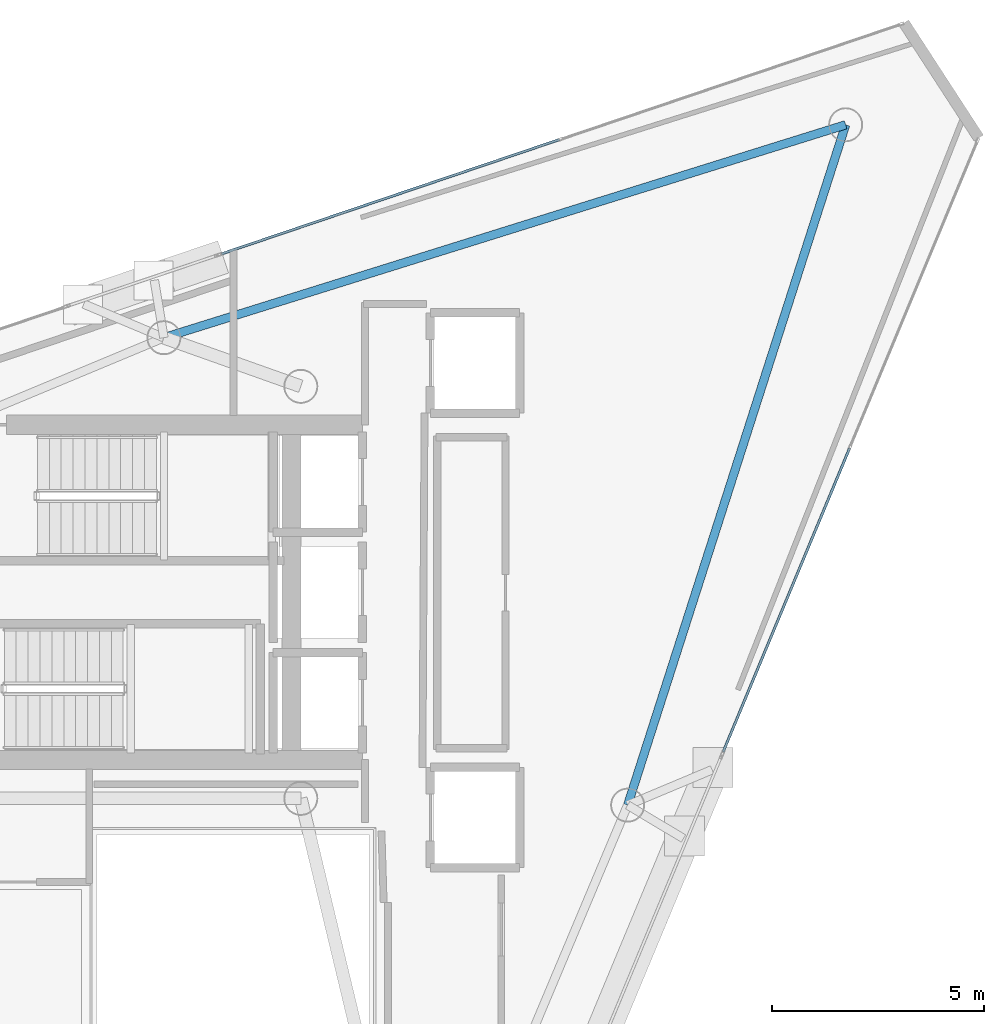
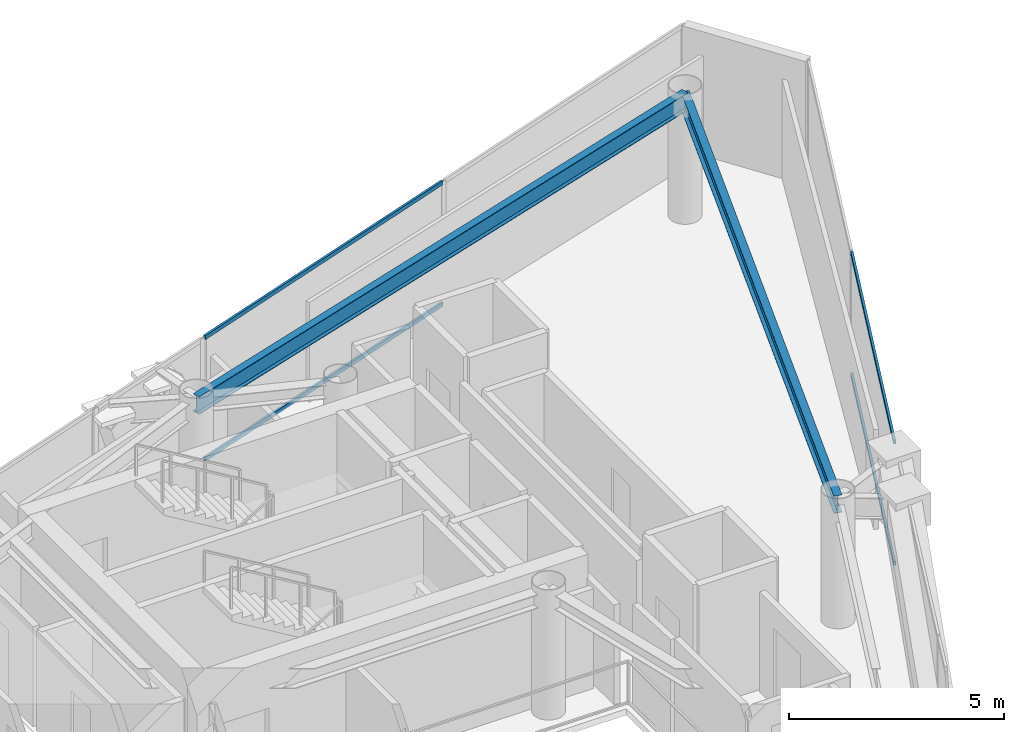
# One storey, part 14 of 19: 4 members, 2 beams, 2 elements without a shape of their own.
"""IFC4 building model written with IfcOpenShell, lengths in metres."""

from ifc_helpers import new_model, si_unit, direction, frame, origin, origin_2d, place, context, subcontext, project, spatial, hollow_rectangle, i_section, extrude, material, layer, layer_set, material_profile, profile_set, type_object, element, aggregate, save


model = new_model("IFC4")

# Units and contexts
model_context = context("Model", 3, precision=1e-05, world=origin(), true_north=direction((0.0, 1.0)))
body_context = subcontext(model_context, "Body", "Model", "MODEL_VIEW")
ifc_project = project(units=[si_unit("LENGTHUNIT", "METRE"), si_unit("AREAUNIT", "SQUARE_METRE"), si_unit("VOLUMEUNIT", "CUBIC_METRE"), si_unit("PLANEANGLEUNIT", "RADIAN"), si_unit("MASSUNIT", "GRAM", prefix="KILO")], contexts=[model_context])

# Site, building, storey
site_placement = place(None, origin())
site = spatial("IfcSite", under=ifc_project, at=site_placement, CompositionType="ELEMENT")
building_placement = place(site_placement, origin())
building = spatial("IfcBuilding", under=site, at=building_placement, Name="Qianvela Tower", CompositionType="ELEMENT")
storey_placement = place(building_placement, frame((0.0, 0.0, 333.300048828125)))
storey = spatial("IfcBuildingStorey", under=building, at=storey_placement, Name="L86", CompositionType="ELEMENT", Elevation=333.300048828125)

# Beams
ifc_material_1 = material(Name="Steel Q355B", Category="steel")
ifc_material_profile_1 = material_profile(ifc_material_1, i_section(OverallWidth=0.199951171875, OverallDepth=0.5, WebThickness=0.010009765625, FlangeThickness=0.01611328125, at=origin_2d()), Name="HN500x200x10x16")
ifc_profile_set_1 = profile_set([ifc_material_profile_1], Name="Steel Q355B")
beam_type = type_object("IfcBeamType", Name="BM-HN500-GIRD", PredefinedType="BEAM", material=ifc_profile_set_1)
beam_1_placement = place(storey_placement, frame((51.22705078125, 39.7080078125, 3.26806640625), z_axis=(-0.954525695456, -0.298128657988, 0.0), x_axis=(0.298128657988, -0.954525695456, 0.0)))
element("IfcBeam", 1, at=beam_1_placement, inside=storey, type_object=beam_type, Name="L86 Perimeter Ring Spandrel Girder 1", PredefinedType="BEAM", context=body_context, shape_type="SweptSolid", body=[
    extrude(i_section(OverallWidth=0.199951171875, OverallDepth=0.5, WebThickness=0.010009765625, FlangeThickness=0.01611328125, at=origin_2d()), origin(), (0.0, 0.0, 1.0), 16.814697265625),
])
beam_2_placement = place(storey_placement, frame((46.094970703125, 23.69091796875, 3.26806640625), z_axis=(0.305132275277, 0.952309978203, 0.0), x_axis=(-0.952309978203, 0.305132275277, 0.0)))
element("IfcBeam", 2, at=beam_2_placement, inside=storey, type_object=beam_type, Name="L86 Perimeter Ring Spandrel Girder 6", PredefinedType="BEAM", context=body_context, shape_type="SweptSolid", body=[
    extrude(i_section(OverallWidth=0.199951171875, OverallDepth=0.5, WebThickness=0.010009765625, FlangeThickness=0.01611328125, at=origin_2d()), origin(), (0.0, 0.0, 1.0), 16.819091796875),
])

# Curtain wall, members
ifc_material_2 = material(Name="Anodised Architectural Aluminium and Low-E Glass", Category="aluminium")
ifc_layer = layer(ifc_material_2, 0.14990234375)
ifc_layer_set = layer_set([ifc_layer], Name="Anodised Architectural Aluminium and Low-E Glass")
curtain_wall_type = type_object("IfcCurtainWallType", Name="CW-COLIV-Z78", PredefinedType="USERDEFINED", material=ifc_layer_set)
curtain_wall_1_placement = place(storey_placement, origin())
curtain_wall_1 = element("IfcCurtainWall", 3, at=curtain_wall_1_placement, inside=storey, type_object=curtain_wall_type, Name="L86 CW-COLIV-Z78 Curtain Wall 02A", ObjectType="CURTAIN_WALL_SYSTEM", PredefinedType="USERDEFINED")
ifc_material_3 = material(Name="Anodised Architectural Aluminium 6063-T6", Category="aluminium")
ifc_material_profile_2 = material_profile(ifc_material_3, hollow_rectangle(XDim=0.06005859375, YDim=0.114990234375, WallThickness=0.00390625, at=origin_2d()), Name="ALU-TRAN-60x115")
ifc_profile_set_2 = profile_set([ifc_material_profile_2], Name="Anodised Architectural Aluminium 6063-T6")
member_type = type_object("IfcMemberType", Name="CW-COLIV-Z78-TRAN", PredefinedType="USERDEFINED", material=ifc_profile_set_2)
member_1_placement = place(storey_placement, frame((44.488037109375, 39.359375, 0.030029296875), z_axis=(-0.947275191198, -0.320421148086, 0.0), x_axis=(0.320421148086, -0.947275191198, 0.0)))
member_1 = element("IfcMember", 4, at=member_1_placement, type_object=member_type, Name="CW-6 transom 2.1", ObjectType="TRANSOM", PredefinedType="USERDEFINED", context=body_context, shape_type="SweptSolid", body=[
    extrude(hollow_rectangle(XDim=0.06005859375, YDim=0.114990234375, WallThickness=0.00390625, at=origin_2d()), origin(), (0.0, 0.0, 1.0), 8.39501953125),
])
member_2_placement = place(storey_placement, frame((44.488037109375, 39.359375, 3.489990234375), z_axis=(-0.947275191198, -0.320421148086, 0.0), x_axis=(0.320421148086, -0.947275191198, 0.0)))
member_2 = element("IfcMember", 5, at=member_2_placement, type_object=member_type, Name="CW-6 transom 2.2", ObjectType="TRANSOM", PredefinedType="USERDEFINED", context=body_context, shape_type="SweptSolid", body=[
    extrude(hollow_rectangle(XDim=0.06005859375, YDim=0.114990234375, WallThickness=0.00390625, at=origin_2d()), origin(), (0.0, 0.0, 1.0), 8.39501953125),
])
aggregate(curtain_wall_1, [member_1, member_2])

curtain_wall_2_placement = place(storey_placement, origin())
curtain_wall_2 = element("IfcCurtainWall", 6, at=curtain_wall_2_placement, inside=storey, type_object=curtain_wall_type, Name="L86 CW-COLIV-Z78 Curtain Wall 06C", ObjectType="CURTAIN_WALL_SYSTEM", PredefinedType="USERDEFINED")
member_3_placement = place(storey_placement, frame((48.34375, 24.9453125, 0.030029296875), z_axis=(0.384425040223, 0.92315621021, 0.0), x_axis=(-0.92315621021, 0.384425040223, 0.0)))
member_3 = element("IfcMember", 7, at=member_3_placement, type_object=member_type, Name="CW-6 transom 1.1", ObjectType="TRANSOM", PredefinedType="USERDEFINED", context=body_context, shape_type="SweptSolid", body=[
    extrude(hollow_rectangle(XDim=0.06005859375, YDim=0.114990234375, WallThickness=0.00390625, at=origin_2d()), origin(), (0.0, 0.0, 1.0), 7.74169921875),
])
member_4_placement = place(storey_placement, frame((48.34375, 24.9453125, 3.489990234375), z_axis=(0.384425040223, 0.92315621021, 0.0), x_axis=(-0.92315621021, 0.384425040223, 0.0)))
member_4 = element("IfcMember", 8, at=member_4_placement, type_object=member_type, Name="CW-6 transom 1.2", ObjectType="TRANSOM", PredefinedType="USERDEFINED", context=body_context, shape_type="SweptSolid", body=[
    extrude(hollow_rectangle(XDim=0.06005859375, YDim=0.114990234375, WallThickness=0.00390625, at=origin_2d()), origin(), (0.0, 0.0, 1.0), 7.74169921875),
])
aggregate(curtain_wall_2, [member_3, member_4])

save(model, "model.ifc")
